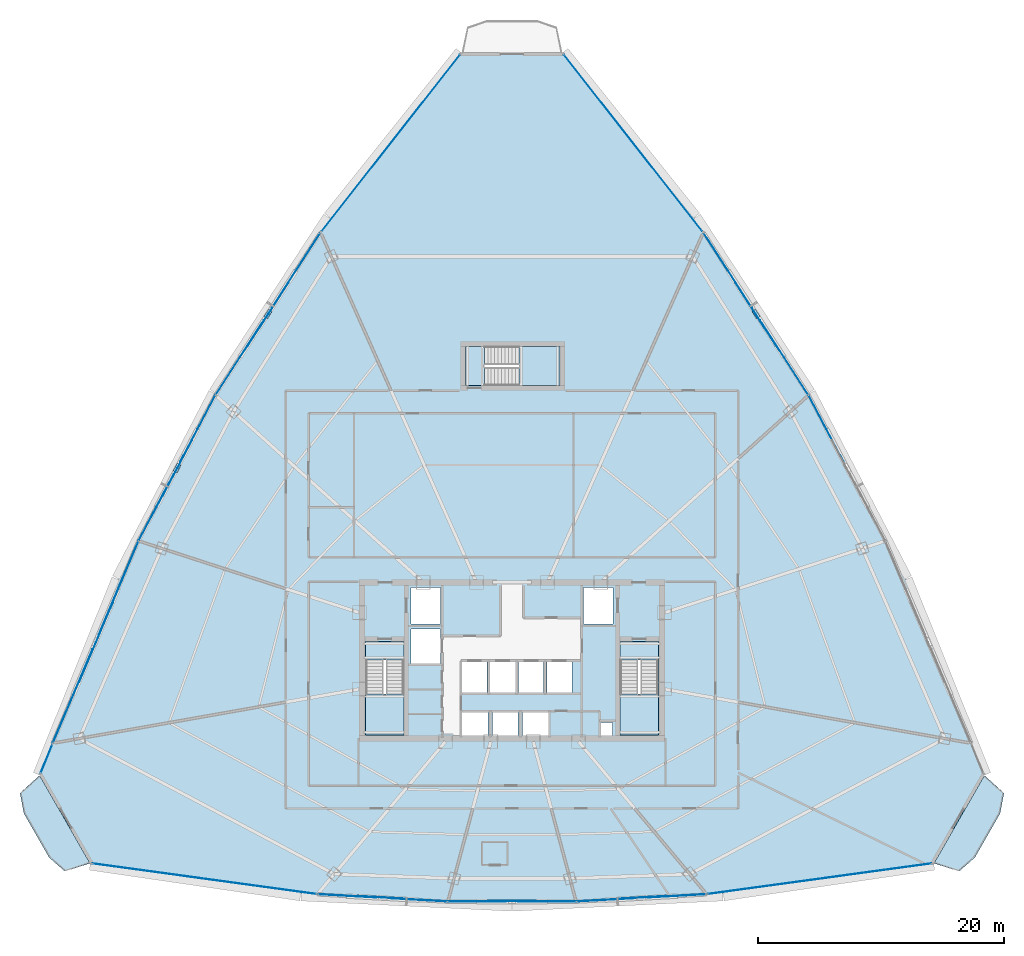
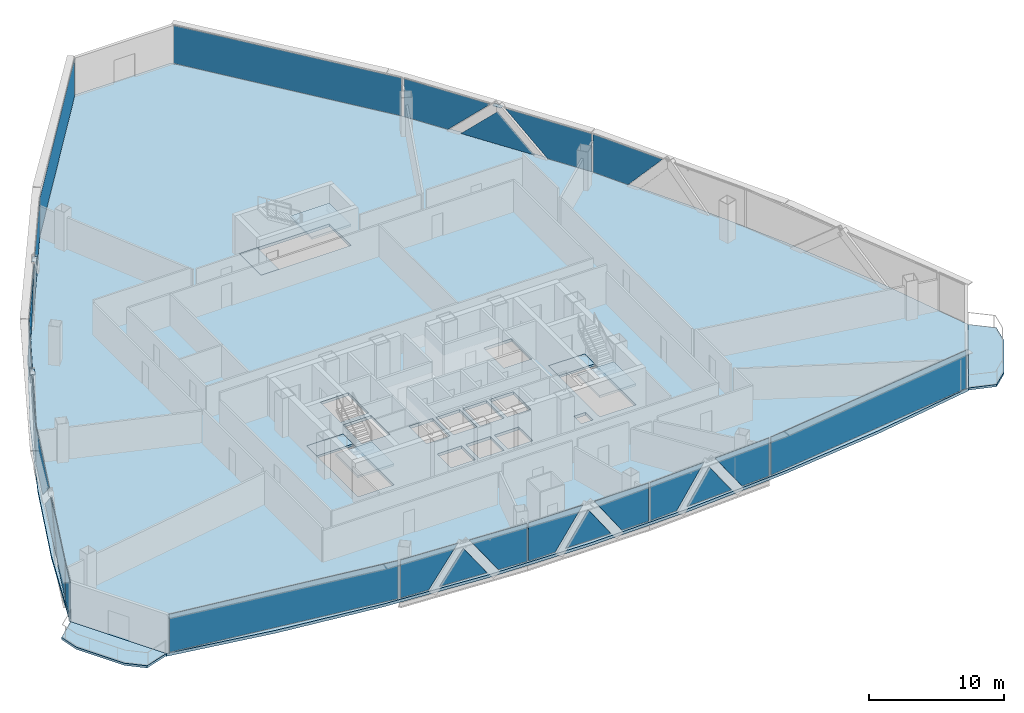
# One storey, part 28 of 37: 30 plates, 9 slabs, 16 elements without a shape of their own.
"""IFC4 building model written with IfcOpenShell, lengths in metres."""

from ifc_helpers import new_model, si_unit, direction, frame, origin, origin_2d, place, context, subcontext, project, spatial, polyline, rectangle, outline, extrude, source, transform, mapped, material, layer, layer_set, type_object, element, aggregate, save


model = new_model("IFC4")

# Units and contexts
model_context = context("Model", 3, precision=1e-05, world=origin(), true_north=direction((0.0, 1.0)))
body_context = subcontext(model_context, "Body", "Model", "MODEL_VIEW")
ifc_project = project(units=[si_unit("LENGTHUNIT", "METRE"), si_unit("AREAUNIT", "SQUARE_METRE"), si_unit("VOLUMEUNIT", "CUBIC_METRE"), si_unit("PLANEANGLEUNIT", "RADIAN"), si_unit("MASSUNIT", "GRAM", prefix="KILO"), si_unit("THERMODYNAMICTEMPERATUREUNIT", "KELVIN"), si_unit("POWERUNIT", "WATT")], contexts=[model_context])

# Site, building, storey
site_placement = place(None, origin())
site = spatial("IfcSite", under=ifc_project, at=site_placement, CompositionType="ELEMENT")
building_placement = place(site_placement, origin())
building = spatial("IfcBuilding", under=site, at=building_placement, Name="Yunzhuo Pagoda Commons", CompositionType="ELEMENT")
storey_placement = place(building_placement, frame((0.0, 0.0, 196.159912109375)))
storey = spatial("IfcBuildingStorey", under=building, at=storey_placement, Name="L49", CompositionType="ELEMENT", Elevation=196.159912109375)

# Curtain wall, plates
ifc_material_1 = material(Name="Anodized aluminium 6063-T6", Category="aluminium")
ifc_layer_1 = layer(ifc_material_1, 0.14990234375)
ifc_layer_set_1 = layer_set([ifc_layer_1], Name="Anodized aluminium 6063-T6")
curtain_wall_type = type_object("IfcCurtainWallType", Name="CW-MID Mid-Zone Ribbon Curtain Wall", PredefinedType="NOTDEFINED", material=ifc_layer_set_1)
curtain_wall_1_placement = place(storey_placement, origin())
curtain_wall_1 = element("IfcCurtainWall", 1, at=curtain_wall_1_placement, inside=storey, type_object=curtain_wall_type, Name="L49 curtain wall CW-L49-F1B2", PredefinedType="NOTDEFINED")
ifc_material_2 = material(Name="Tempered low-e double glazing", Category="glass")
ifc_layer_2 = layer(ifc_material_2, 0.028076171875)
ifc_layer_set_2 = layer_set([ifc_layer_2], Name="Tempered low-e double glazing")
plate_type_1 = type_object("IfcPlateType", Name="CW-MID-P Low-E Double Glazing 28", PredefinedType="CURTAIN_PANEL", material=ifc_layer_set_2)
plate_1_placement = place(storey_placement, frame((34.599853515625, 14.706298828125, 1.77001953125), z_axis=(-0.055982959182, -0.998431724396, 0.0), x_axis=(0.998431724396, -0.055982959182, 0.0)))
plate_1 = element("IfcPlate", 2, at=plate_1_placement, type_object=plate_type_1, Name="CW panel 1.1 lite 1", PredefinedType="CURTAIN_PANEL", context=body_context, shape_type="SweptSolid", body=[
    extrude(outline(polyline([(-2.377685546875, -1.715087890625), (-0.022216796875, -1.715087890625), (2.377685546875, 1.715087890625), (-2.377685546875, 1.715087890625), (-2.377685546875, -1.715087890625)])), origin(), (0.0, 0.0, 1.0), 0.028076171875),
])
plate_2_placement = place(storey_placement, frame((37.47705078125, 14.5751953125, 1.46630859375), z_axis=(-0.055982959182, -0.998431724396, 0.0), x_axis=(0.998431724396, -0.055982959182, 0.0)))
plate_2 = element("IfcPlate", 3, at=plate_2_placement, type_object=plate_type_1, Name="CW panel 1.1 lite 2", PredefinedType="CURTAIN_PANEL", context=body_context, shape_type="SweptSolid", body=[
    extrude(outline(polyline([(-1.974609375, -1.4111328125), (1.974609375, -1.4111328125), (0.0, 1.4111328125), (-1.974609375, -1.4111328125)])), origin(), (0.0, 0.0, 1.0), 0.028076171875),
])
plate_3_placement = place(storey_placement, frame((40.350830078125, 14.384033203125, 1.77001953125), z_axis=(-0.055982959182, -0.998431724396, 0.0), x_axis=(0.998431724396, -0.055982959182, 0.0)))
plate_3 = element("IfcPlate", 4, at=plate_3_placement, type_object=plate_type_1, Name="CW panel 1.1 lite 3", PredefinedType="CURTAIN_PANEL", context=body_context, shape_type="SweptSolid", body=[
    extrude(outline(polyline([(-2.377685546875, 1.715087890625), (0.022216796875, -1.715087890625), (2.377685546875, -1.715087890625), (2.377685546875, 1.715087890625), (-2.377685546875, 1.715087890625)])), origin(), (0.0, 0.0, 1.0), 0.028076171875),
])
aggregate(curtain_wall_1, [plate_1, plate_2, plate_3])

curtain_wall_2_placement = place(storey_placement, origin())
curtain_wall_2 = element("IfcCurtainWall", 5, at=curtain_wall_2_placement, inside=storey, type_object=curtain_wall_type, Name="L49 curtain wall CW-L49-F1B3", PredefinedType="NOTDEFINED")
plate_4_placement = place(storey_placement, frame((45.172607421875, 14.24755859375, 1.77001953125), z_axis=(0.0, -1.0, 0.0), x_axis=(1.0, 0.0, 0.0)))
plate_4 = element("IfcPlate", 6, at=plate_4_placement, type_object=plate_type_1, Name="CW panel 1.1 lite 1", PredefinedType="CURTAIN_PANEL", context=body_context, shape_type="SweptSolid", body=[
    extrude(outline(polyline([(-2.32861328125, -1.715087890625), (-0.025390625, -1.715087890625), (2.32861328125, 1.715087890625), (-2.32861328125, 1.715087890625), (-2.32861328125, -1.715087890625)])), origin(), (0.0, 0.0, 1.0), 0.028076171875),
])
plate_5_placement = place(storey_placement, frame((48.0, 14.27783203125, 1.4619140625), z_axis=(0.0, -1.0, 0.0), x_axis=(1.0, 0.0, 0.0)))
plate_5 = element("IfcPlate", 7, at=plate_5_placement, type_object=plate_type_1, Name="CW panel 1.1 lite 2", PredefinedType="CURTAIN_PANEL", context=body_context, shape_type="SweptSolid", body=[
    extrude(outline(polyline([(-1.930908203125, -1.40673828125), (1.930908203125, -1.40673828125), (0.0, 1.40673828125), (-1.930908203125, -1.40673828125)])), origin(), (0.0, 0.0, 1.0), 0.028076171875),
])
plate_6_placement = place(storey_placement, frame((50.827392578125, 14.24755859375, 1.77001953125), z_axis=(0.0, -1.0, 0.0), x_axis=(1.0, 0.0, 0.0)))
plate_6 = element("IfcPlate", 8, at=plate_6_placement, type_object=plate_type_1, Name="CW panel 1.1 lite 3", PredefinedType="CURTAIN_PANEL", context=body_context, shape_type="SweptSolid", body=[
    extrude(outline(polyline([(-2.32861328125, 1.715087890625), (0.025390625, -1.715087890625), (2.32861328125, -1.715087890625), (2.32861328125, 1.715087890625), (-2.32861328125, 1.715087890625)])), origin(), (0.0, 0.0, 1.0), 0.028076171875),
])
aggregate(curtain_wall_2, [plate_4, plate_5, plate_6])

curtain_wall_3_placement = place(storey_placement, origin())
curtain_wall_3 = element("IfcCurtainWall", 9, at=curtain_wall_3_placement, inside=storey, type_object=curtain_wall_type, Name="L49 curtain wall CW-L49-F1B4", PredefinedType="NOTDEFINED")
plate_7_placement = place(storey_placement, frame((55.649169921875, 14.384033203125, 1.77001953125), z_axis=(0.055982959182, -0.998431724396, 0.0), x_axis=(0.998431724396, 0.055982959182, 0.0)))
plate_7 = element("IfcPlate", 10, at=plate_7_placement, type_object=plate_type_1, Name="CW panel 1.1 lite 1", PredefinedType="CURTAIN_PANEL", context=body_context, shape_type="SweptSolid", body=[
    extrude(outline(polyline([(-2.377685546875, -1.715087890625), (-0.022216796875, -1.715087890625), (2.377685546875, 1.715087890625), (-2.377685546875, 1.715087890625), (-2.377685546875, -1.715087890625)])), origin(), (0.0, 0.0, 1.0), 0.028076171875),
])
plate_8_placement = place(storey_placement, frame((58.52294921875, 14.5751953125, 1.46630859375), z_axis=(0.055982959182, -0.998431724396, 0.0), x_axis=(0.998431724396, 0.055982959182, 0.0)))
plate_8 = element("IfcPlate", 11, at=plate_8_placement, type_object=plate_type_1, Name="CW panel 1.1 lite 2", PredefinedType="CURTAIN_PANEL", context=body_context, shape_type="SweptSolid", body=[
    extrude(outline(polyline([(-1.974609375, -1.4111328125), (1.974609375, -1.4111328125), (0.0, 1.4111328125), (-1.974609375, -1.4111328125)])), origin(), (0.0, 0.0, 1.0), 0.028076171875),
])
plate_9_placement = place(storey_placement, frame((61.400146484375, 14.706298828125, 1.77001953125), z_axis=(0.055982959182, -0.998431724396, 0.0), x_axis=(0.998431724396, 0.055982959182, 0.0)))
plate_9 = element("IfcPlate", 12, at=plate_9_placement, type_object=plate_type_1, Name="CW panel 1.1 lite 3", PredefinedType="CURTAIN_PANEL", context=body_context, shape_type="SweptSolid", body=[
    extrude(outline(polyline([(-2.377685546875, 1.715087890625), (0.022216796875, -1.715087890625), (2.377685546875, -1.715087890625), (2.377685546875, 1.715087890625), (-2.377685546875, 1.715087890625)])), origin(), (0.0, 0.0, 1.0), 0.028076171875),
])
aggregate(curtain_wall_3, [plate_7, plate_8, plate_9])

# Curtain wall, plate
curtain_wall_4_placement = place(storey_placement, origin())
curtain_wall_4 = element("IfcCurtainWall", 13, at=curtain_wall_4_placement, inside=storey, type_object=curtain_wall_type, Name="L49 curtain wall CW-L49-F2B3", PredefinedType="NOTDEFINED")
plate_10_placement = place(storey_placement, frame((73.559326171875, 52.6708984375, 1.77001953125), z_axis=(0.884483826433, 0.466570852903, 0.0), x_axis=(-0.466570852903, 0.884483826433, 0.0)))
plate_10 = element("IfcPlate", 14, at=plate_10_placement, type_object=plate_type_1, Name="CW panel 1.1 lite 3", PredefinedType="CURTAIN_PANEL", context=body_context, shape_type="SweptSolid", body=[
    extrude(outline(polyline([(-3.04248046875, 1.715087890625), (-0.018798828125, -1.715087890625), (3.042236328125, -1.715087890625), (3.042236328125, 1.715087890625), (-3.04248046875, 1.715087890625)])), origin(), (0.0, 0.0, 1.0), 0.028076171875),
])
aggregate(curtain_wall_4, [plate_10])

# Curtain wall, plates
curtain_wall_5_placement = place(storey_placement, origin())
curtain_wall_5 = element("IfcCurtainWall", 15, at=curtain_wall_5_placement, inside=storey, type_object=curtain_wall_type, Name="L49 curtain wall CW-L49-F2B4", PredefinedType="NOTDEFINED")
plate_11_placement = place(storey_placement, frame((70.12060546875, 58.4951171875, 1.77001953125), z_axis=(0.839794048542, 0.542905107761, 0.0), x_axis=(-0.542905107761, 0.839794048542, 0.0)))
plate_11 = element("IfcPlate", 16, at=plate_11_placement, type_object=plate_type_1, Name="CW panel 1.1 lite 1", PredefinedType="CURTAIN_PANEL", context=body_context, shape_type="SweptSolid", body=[
    extrude(outline(polyline([(-3.60888671875, -1.715087890625), (0.051513671875, -1.715087890625), (3.60888671875, 1.715087890625), (-3.60888671875, 1.715087890625), (-3.60888671875, -1.715087890625)])), origin(), (0.0, 0.0, 1.0), 0.028076171875),
])
plate_12_placement = place(storey_placement, frame((67.807861328125, 62.017333984375, 1.53369140625), z_axis=(0.839794048542, 0.542905107761, 0.0), x_axis=(-0.542905107761, 0.839794048542, 0.0)))
plate_12 = element("IfcPlate", 17, at=plate_12_placement, type_object=plate_type_1, Name="CW panel 1.1 lite 2", PredefinedType="CURTAIN_PANEL", context=body_context, shape_type="SweptSolid", body=[
    extrude(outline(polyline([(-3.06689453125, -1.478515625), (3.06689453125, -1.478515625), (0.0, 1.478515625), (-3.06689453125, -1.478515625)])), origin(), (0.0, 0.0, 1.0), 0.028076171875),
])
plate_13_placement = place(storey_placement, frame((65.545654296875, 65.572021484375, 1.77001953125), z_axis=(0.839794048542, 0.542905107761, 0.0), x_axis=(-0.542905107761, 0.839794048542, 0.0)))
plate_13 = element("IfcPlate", 18, at=plate_13_placement, type_object=plate_type_1, Name="CW panel 1.1 lite 3", PredefinedType="CURTAIN_PANEL", context=body_context, shape_type="SweptSolid", body=[
    extrude(outline(polyline([(-3.60888671875, 1.715087890625), (-0.051513671875, -1.715087890625), (3.60888671875, -1.715087890625), (3.60888671875, 1.715087890625), (-3.60888671875, 1.715087890625)])), origin(), (0.0, 0.0, 1.0), 0.028076171875),
])
aggregate(curtain_wall_5, [plate_11, plate_12, plate_13])

curtain_wall_6_placement = place(storey_placement, origin())
curtain_wall_6 = element("IfcCurtainWall", 19, at=curtain_wall_6_placement, inside=storey, type_object=curtain_wall_type, Name="L49 curtain wall CW-L49-F3B2", PredefinedType="NOTDEFINED")
plate_14_placement = place(storey_placement, frame((30.454345703125, 65.572021484375, 1.77001953125), z_axis=(-0.839794048542, 0.542905107761, 0.0), x_axis=(-0.542905107761, -0.839794048542, 0.0)))
plate_14 = element("IfcPlate", 20, at=plate_14_placement, type_object=plate_type_1, Name="CW panel 1.1 lite 1", PredefinedType="CURTAIN_PANEL", context=body_context, shape_type="SweptSolid", body=[
    extrude(outline(polyline([(-3.60888671875, -1.715087890625), (0.051513671875, -1.715087890625), (3.60888671875, 1.715087890625), (-3.60888671875, 1.715087890625), (-3.60888671875, -1.715087890625)])), origin(), (0.0, 0.0, 1.0), 0.028076171875),
])
plate_15_placement = place(storey_placement, frame((28.192138671875, 62.017333984375, 1.53369140625), z_axis=(-0.839794048542, 0.542905107761, 0.0), x_axis=(-0.542905107761, -0.839794048542, 0.0)))
plate_15 = element("IfcPlate", 21, at=plate_15_placement, type_object=plate_type_1, Name="CW panel 1.1 lite 2", PredefinedType="CURTAIN_PANEL", context=body_context, shape_type="SweptSolid", body=[
    extrude(outline(polyline([(-3.06689453125, -1.478515625), (3.06689453125, -1.478515625), (0.0, 1.478515625), (-3.06689453125, -1.478515625)])), origin(), (0.0, 0.0, 1.0), 0.028076171875),
])
plate_16_placement = place(storey_placement, frame((25.87939453125, 58.4951171875, 1.77001953125), z_axis=(-0.839794048542, 0.542905107761, 0.0), x_axis=(-0.542905107761, -0.839794048542, 0.0)))
plate_16 = element("IfcPlate", 22, at=plate_16_placement, type_object=plate_type_1, Name="CW panel 1.1 lite 3", PredefinedType="CURTAIN_PANEL", context=body_context, shape_type="SweptSolid", body=[
    extrude(outline(polyline([(-3.60888671875, 1.715087890625), (-0.051513671875, -1.715087890625), (3.60888671875, -1.715087890625), (3.60888671875, 1.715087890625), (-3.60888671875, 1.715087890625)])), origin(), (0.0, 0.0, 1.0), 0.028076171875),
])
aggregate(curtain_wall_6, [plate_14, plate_15, plate_16])

curtain_wall_7_placement = place(storey_placement, origin())
curtain_wall_7 = element("IfcCurtainWall", 23, at=curtain_wall_7_placement, inside=storey, type_object=curtain_wall_type, Name="L49 curtain wall CW-L49-F3B3", PredefinedType="NOTDEFINED")
plate_17_placement = place(storey_placement, frame((22.440673828125, 52.6708984375, 1.77001953125), z_axis=(-0.884483826433, 0.466570852903, 0.0), x_axis=(-0.466570852903, -0.884483826433, 0.0)))
plate_17 = element("IfcPlate", 24, at=plate_17_placement, type_object=plate_type_1, Name="CW panel 1.1 lite 1", PredefinedType="CURTAIN_PANEL", context=body_context, shape_type="SweptSolid", body=[
    extrude(outline(polyline([(-3.04248046875, -1.715087890625), (0.0185546875, -1.715087890625), (3.04248046875, 1.715087890625), (-3.04248046875, 1.715087890625), (-3.04248046875, -1.715087890625)])), origin(), (0.0, 0.0, 1.0), 0.028076171875),
])
plate_18_placement = place(storey_placement, frame((20.788818359375, 49.47509765625, 1.51025390625), z_axis=(-0.884483826433, 0.466570852903, 0.0), x_axis=(-0.466570852903, -0.884483826433, 0.0)))
plate_18 = element("IfcPlate", 25, at=plate_18_placement, type_object=plate_type_1, Name="CW panel 1.1 lite 2", PredefinedType="CURTAIN_PANEL", context=body_context, shape_type="SweptSolid", body=[
    extrude(outline(polyline([(-2.565673828125, -1.455078125), (2.565673828125, -1.455078125), (0.0, 1.455078125), (-2.565673828125, -1.455078125)])), origin(), (0.0, 0.0, 1.0), 0.028076171875),
])
plate_19_placement = place(storey_placement, frame((19.083740234375, 46.30712890625, 1.77001953125), z_axis=(-0.884483826433, 0.466570852903, 0.0), x_axis=(-0.466570852903, -0.884483826433, 0.0)))
plate_19 = element("IfcPlate", 26, at=plate_19_placement, type_object=plate_type_1, Name="CW panel 1.1 lite 3", PredefinedType="CURTAIN_PANEL", context=body_context, shape_type="SweptSolid", body=[
    extrude(outline(polyline([(-3.04248046875, 1.715087890625), (-0.018798828125, -1.715087890625), (3.042236328125, -1.715087890625), (3.042236328125, 1.715087890625), (-3.04248046875, 1.715087890625)])), origin(), (0.0, 0.0, 1.0), 0.028076171875),
])
aggregate(curtain_wall_7, [plate_17, plate_18, plate_19])

curtain_wall_8_placement = place(storey_placement, origin())
curtain_wall_8 = element("IfcCurtainWall", 27, at=curtain_wall_8_placement, inside=storey, type_object=curtain_wall_type, Name="L49 curtain wall CW-L49-F3B4", PredefinedType="NOTDEFINED")
plate_20_placement = place(storey_placement, frame((16.0078125, 39.722412109375, 1.77001953125), z_axis=(-0.920666607247, 0.390349840912, 0.0), x_axis=(-0.390349840912, -0.920666607247, 0.0)))
plate_20 = element("IfcPlate", 28, at=plate_20_placement, type_object=plate_type_1, Name="CW panel 1.1 lite 1", PredefinedType="CURTAIN_PANEL", context=body_context, shape_type="SweptSolid", body=[
    extrude(outline(polyline([(-4.11279296875, -1.715087890625), (0.079345703125, -1.715087890625), (4.11279296875, 1.715087890625), (-4.11279296875, 1.715087890625), (-4.11279296875, -1.715087890625)])), origin(), (0.0, 0.0, 1.0), 0.028076171875),
])
plate_21_placement = place(storey_placement, frame((14.17578125, 35.32470703125, 1.548095703125), z_axis=(-0.920666607247, 0.390349840912, 0.0), x_axis=(-0.390349840912, -0.920666607247, 0.0)))
plate_21 = element("IfcPlate", 29, at=plate_21_placement, type_object=plate_type_1, Name="CW panel 1.1 lite 2", PredefinedType="CURTAIN_PANEL", context=body_context, shape_type="SweptSolid", body=[
    extrude(outline(polyline([(-3.511474609375, -1.4931640625), (3.511474609375, -1.4931640625), (0.0, 1.4931640625), (-3.511474609375, -1.4931640625)])), origin(), (0.0, 0.0, 1.0), 0.028076171875),
])
plate_22_placement = place(storey_placement, frame((12.288330078125, 30.9501953125, 1.77001953125), z_axis=(-0.920666607247, 0.390349840912, 0.0), x_axis=(-0.390349840912, -0.920666607247, 0.0)))
plate_22 = element("IfcPlate", 30, at=plate_22_placement, type_object=plate_type_1, Name="CW panel 1.1 lite 3", PredefinedType="CURTAIN_PANEL", context=body_context, shape_type="SweptSolid", body=[
    extrude(outline(polyline([(-4.11279296875, 1.715087890625), (-0.07958984375, -1.715087890625), (4.11279296875, -1.715087890625), (4.11279296875, 1.715087890625), (-4.11279296875, 1.715087890625)])), origin(), (0.0, 0.0, 1.0), 0.028076171875),
])
aggregate(curtain_wall_8, [plate_20, plate_21, plate_22])

# Slabs
ifc_material_3 = material(Name="Concrete C40", Category="concrete")
ifc_layer_3 = layer(ifc_material_3, 0.199951171875)
ifc_layer_set_3 = layer_set([ifc_layer_3], Name="Concrete C40")
slab_type_1 = type_object("IfcSlabType", Name="SL-BAL Vertex Balcony Deck Slab 200", PredefinedType="FLOOR", material=ifc_layer_set_3)
slab_1_placement = place(storey_placement, frame((0.0, 0.0, -0.199951171875)))
element("IfcSlab", 31, at=slab_1_placement, inside=storey, type_object=slab_type_1, Name="L49 corner balcony V1", PredefinedType="FLOOR", context=body_context, shape_type="SweptSolid", body=[
    extrude(outline(polyline([(9.568359375, 24.48876953125), (13.66845703125, 17.347900390625), (11.62744140625, 16.69482421875), (10.349609375, 17.81591796875), (8.299560546875, 21.386474609375), (7.9755859375, 23.055419921875), (9.568359375, 24.48876953125)])), origin(), (0.0, 0.0, 1.0), 0.199951171875),
])
slab_2_placement = place(storey_placement, frame((0.0, 0.0, -0.199951171875)))
element("IfcSlab", 32, at=slab_2_placement, inside=storey, type_object=slab_type_1, Name="L49 corner balcony V2", PredefinedType="FLOOR", context=body_context, shape_type="SweptSolid", body=[
    extrude(outline(polyline([(82.33154296875, 17.347900390625), (86.431640625, 24.48876953125), (88.0244140625, 23.055419921875), (87.700439453125, 21.386474609375), (85.650390625, 17.81591796875), (84.37255859375, 16.69482421875), (82.33154296875, 17.347900390625)])), origin(), (0.0, 0.0, 1.0), 0.199951171875),
])

# Stair, slabs
stair_type_1 = type_object("IfcStairType", Name="ST-C1 Core Smokeproof Stair ST1", PredefinedType="HALF_TURN_STAIR", material=ifc_material_3)
stair_1_placement = place(storey_placement, origin())
stair_1 = element("IfcStair", 33, at=stair_1_placement, inside=storey, type_object=stair_type_1, Name="L49 Core smokeproof stair ST1", PredefinedType="HALF_TURN_STAIR")
ifc_layer_4 = layer(ifc_material_3, 0.199951171875)
ifc_layer_set_4 = layer_set([ifc_layer_4], Name="Concrete C40")
slab_type_2 = type_object("IfcSlabType", Name="SL-LND1 Stair Landing Slab 200", PredefinedType="LANDING", material=ifc_layer_set_4)
slab_3_placement = place(storey_placement, frame((0.0, 0.0, 1.7001953125)))
slab_3 = element("IfcSlab", 34, at=slab_3_placement, type_object=slab_type_2, Name="ST1 landing 1", PredefinedType="LANDING", context=body_context, shape_type="SweptSolid", body=[
    extrude(outline(polyline([(36.10009765625, 31.10009765625), (36.10009765625, 27.800048828125), (39.199951171875, 27.800048828125), (39.199951171875, 31.10009765625), (36.10009765625, 31.10009765625)])), origin(), (0.0, 0.0, 1.0), 0.199951171875),
])
slab_4_placement = place(storey_placement, frame((0.0, 0.0, -0.199951171875)))
slab_4 = element("IfcSlab", 35, at=slab_4_placement, type_object=slab_type_2, Name="ST1 floor landing L49", PredefinedType="LANDING", context=body_context, shape_type="SweptSolid", body=[
    extrude(outline(polyline([(36.10009765625, 35.39990234375), (36.10009765625, 33.89990234375), (39.199951171875, 33.89990234375), (39.199951171875, 35.39990234375), (36.10009765625, 35.39990234375)])), origin(), (0.0, 0.0, 1.0), 0.199951171875),
])
aggregate(stair_1, [slab_3, slab_4])

stair_type_2 = type_object("IfcStairType", Name="ST-C2 Core Smokeproof Stair ST2", PredefinedType="HALF_TURN_STAIR", material=ifc_material_3)
stair_2_placement = place(storey_placement, origin())
stair_2 = element("IfcStair", 36, at=stair_2_placement, inside=storey, type_object=stair_type_2, Name="L49 Core smokeproof stair ST2", PredefinedType="HALF_TURN_STAIR")
ifc_layer_5 = layer(ifc_material_3, 0.201904296875)
ifc_layer_set_5 = layer_set([ifc_layer_5], Name="Concrete C40")
slab_type_3 = type_object("IfcSlabType", Name="SL-LND2 Stair Landing Slab 202", PredefinedType="LANDING", material=ifc_layer_set_5)
slab_5_placement = place(storey_placement, frame((0.0, 0.0, 1.7001953125)))
slab_5 = element("IfcSlab", 37, at=slab_5_placement, type_object=slab_type_3, Name="ST2 landing 1", PredefinedType="LANDING", context=body_context, shape_type="SweptSolid", body=[
    extrude(outline(polyline([(56.800048828125, 31.10009765625), (56.800048828125, 27.800048828125), (59.89990234375, 27.800048828125), (59.89990234375, 31.10009765625), (56.800048828125, 31.10009765625)])), origin(), (0.0, 0.0, 1.0), 0.199951171875),
])
slab_6_placement = place(storey_placement, frame((0.0, 0.0, -0.199951171875)))
slab_6 = element("IfcSlab", 38, at=slab_6_placement, type_object=slab_type_3, Name="ST2 floor landing L49", PredefinedType="LANDING", context=body_context, shape_type="SweptSolid", body=[
    extrude(outline(polyline([(56.800048828125, 35.39990234375), (56.800048828125, 33.89990234375), (59.89990234375, 33.89990234375), (59.89990234375, 35.39990234375), (56.800048828125, 35.39990234375)])), origin(), (0.0, 0.0, 1.0), 0.199951171875),
])
aggregate(stair_2, [slab_5, slab_6])

stair_type_3 = type_object("IfcStairType", Name="ST-C3 North Tower Smokeproof Stair ST3", PredefinedType="HALF_TURN_STAIR", material=ifc_material_3)
stair_3_placement = place(storey_placement, origin())
stair_3 = element("IfcStair", 39, at=stair_3_placement, inside=storey, type_object=stair_type_3, Name="L49 North tower smokeproof stair ST3", PredefinedType="HALF_TURN_STAIR")
ifc_layer_6 = layer(ifc_material_3, 0.2041015625)
ifc_layer_set_6 = layer_set([ifc_layer_6], Name="Concrete C40")
slab_type_4 = type_object("IfcSlabType", Name="SL-LND5 North Landing Slab 204", PredefinedType="LANDING", material=ifc_layer_set_6)
slab_7_placement = place(storey_placement, frame((0.0, 0.0, 1.7001953125)))
slab_7 = element("IfcSlab", 40, at=slab_7_placement, type_object=slab_type_4, Name="ST3 landing 1", PredefinedType="LANDING", context=body_context, shape_type="SweptSolid", body=[
    extrude(outline(polyline([(48.550048828125, 56.199951171875), (51.89990234375, 56.199951171875), (51.89990234375, 59.39990234375), (48.550048828125, 59.39990234375), (48.550048828125, 56.199951171875)])), origin(), (0.0, 0.0, 1.0), 0.199951171875),
])
slab_8_placement = place(storey_placement, frame((0.0, 0.0, -0.199951171875)))
slab_8 = element("IfcSlab", 41, at=slab_8_placement, type_object=slab_type_4, Name="ST3 floor landing L49", PredefinedType="LANDING", context=body_context, shape_type="SweptSolid", body=[
    extrude(outline(polyline([(44.199951171875, 56.199951171875), (45.75, 56.199951171875), (45.75, 59.39990234375), (44.199951171875, 59.39990234375), (44.199951171875, 56.199951171875)])), origin(), (0.0, 0.0, 1.0), 0.199951171875),
])
aggregate(stair_3, [slab_7, slab_8])

# Slab
ifc_layer_7 = layer(ifc_material_3, 0.260009765625)
ifc_layer_set_7 = layer_set([ifc_layer_7], Name="Concrete C40")
slab_type_5 = type_object("IfcSlabType", Name="SL-TWR Typical Tower Floor Slab 260", PredefinedType="FLOOR", material=ifc_layer_set_7)
slab_9_placement = place(storey_placement, frame((0.0, 0.0, -0.260009765625)))
element("IfcSlab", 42, at=slab_9_placement, inside=storey, type_object=slab_type_5, Name="L49 structural floor slab", PredefinedType="FLOOR", context=body_context, shape_type="SweptSolid", body=[
    extrude(outline(polyline([(12.601318359375, 32.578857421875), (15.990478515625, 40.455810546875), (19.740478515625, 48.12255859375), (23.85107421875, 55.57861328125), (28.322265625, 62.82421875), (33.154052734375, 69.859130859375), (38.3466796875, 76.68359375), (43.89990234375, 83.297607421875), (52.10009765625, 83.297607421875), (57.6533203125, 76.68359375), (62.845947265625, 69.859130859375), (67.677734375, 62.82421875), (72.14892578125, 55.57861328125), (76.259521484375, 48.12255859375), (80.009521484375, 40.455810546875), (83.398681640625, 32.578857421875), (86.427490234375, 24.4912109375), (82.327392578125, 17.350341796875), (73.74560546875, 15.888671875), (65.16357421875, 14.8447265625), (56.581787109375, 14.21826171875), (48.0, 14.009521484375), (39.418212890625, 14.21826171875), (30.836181640625, 14.8447265625), (22.25439453125, 15.888671875), (13.672607421875, 17.350341796875), (9.572509765625, 24.4912109375), (12.601318359375, 32.578857421875)]), holes=[polyline([(46.050048828125, 29.64990234375), (43.949951171875, 29.64990234375), (43.949951171875, 27.60009765625), (46.050048828125, 27.60009765625), (46.050048828125, 29.64990234375)]), polyline([(48.5, 27.60009765625), (48.5, 29.64990234375), (46.39990234375, 29.64990234375), (46.39990234375, 27.60009765625), (48.5, 27.60009765625)]), polyline([(36.10009765625, 27.800048828125), (39.199951171875, 27.800048828125), (39.199951171875, 35.39990234375), (36.10009765625, 35.39990234375), (36.10009765625, 27.800048828125)]), polyline([(45.969970703125, 31.199951171875), (45.969970703125, 33.800048828125), (43.929931640625, 33.800048828125), (43.929931640625, 31.199951171875), (45.969970703125, 31.199951171875)]), polyline([(48.27001953125, 31.199951171875), (48.27001953125, 33.800048828125), (46.22998046875, 33.800048828125), (46.22998046875, 31.199951171875), (48.27001953125, 31.199951171875)]), polyline([(42.199951171875, 33.60009765625), (42.199951171875, 36.39990234375), (39.800048828125, 36.39990234375), (39.800048828125, 33.60009765625), (42.199951171875, 33.60009765625)]), polyline([(42.199951171875, 36.800048828125), (42.199951171875, 39.800048828125), (39.800048828125, 39.800048828125), (39.800048828125, 36.800048828125), (42.199951171875, 36.800048828125)]), polyline([(56.179931640625, 28.800048828125), (55.179931640625, 28.800048828125), (55.179931640625, 27.699951171875), (56.179931640625, 27.699951171875), (56.179931640625, 28.800048828125)]), polyline([(50.949951171875, 27.60009765625), (50.949951171875, 29.64990234375), (48.85009765625, 29.64990234375), (48.85009765625, 27.60009765625), (50.949951171875, 27.60009765625)]), polyline([(56.800048828125, 27.800048828125), (59.89990234375, 27.800048828125), (59.89990234375, 35.39990234375), (56.800048828125, 35.39990234375), (56.800048828125, 27.800048828125)]), polyline([(50.570068359375, 31.199951171875), (50.570068359375, 33.800048828125), (48.530029296875, 33.800048828125), (48.530029296875, 31.199951171875), (50.570068359375, 31.199951171875)]), polyline([(52.8701171875, 31.199951171875), (52.8701171875, 33.800048828125), (50.830078125, 33.800048828125), (50.830078125, 31.199951171875), (52.8701171875, 31.199951171875)]), polyline([(56.199951171875, 36.800048828125), (56.199951171875, 39.800048828125), (53.800048828125, 39.800048828125), (53.800048828125, 36.800048828125), (56.199951171875, 36.800048828125)]), polyline([(51.89990234375, 56.199951171875), (51.89990234375, 59.39990234375), (44.199951171875, 59.39990234375), (44.199951171875, 56.199951171875), (51.89990234375, 56.199951171875)])]), origin(), (0.0, 0.0, 1.0), 0.260009765625),
])

# Plates
ifc_material_4 = material(Name="Structural steel Q355B", Category="steel")
ifc_layer_8 = layer(ifc_material_4, 0.028076171875)
ifc_layer_set_8 = layer_set([ifc_layer_8], Name="Structural steel Q355B")
plate_type_2 = type_object("IfcPlateType", Name="SP-ND1 Lattice Node Cap Plate 800x500x28", PredefinedType="USERDEFINED", material=ifc_layer_set_8)
shared_shape_1 = source(origin(), body_context, "Body", "SweptSolid", [
    extrude(rectangle(XDim=0.699951171875, YDim=0.35009765625, at=origin_2d()), origin(), (0.0, 0.0, 1.0), 0.035888671875),
])
for number, where, z_axis, x_axis, name in (
    (43, (67.844970703125, 62.041259765625, 3.501953125), (0.0, 0.0, 1.0), (-0.542910648791, 0.839790466384, 0.0), "L49 setback lattice tie plate F2.3L"),
    (44, (28.155029296875, 62.041259765625, 3.501953125), (0.0, 0.0, 1.0), (-0.542910648791, -0.839790466384, 0.0), "L49 setback lattice tie plate F3.1L"),
    (45, (20.749755859375, 49.49560546875, 3.501953125), (0.0, 0.0, 1.0), (-0.466571896316, -0.884483276025, 0.0), "L49 setback lattice tie plate F3.2L"),
):
    element("IfcPlate", number, at=place(storey_placement, frame(where, z_axis=z_axis, x_axis=x_axis)), inside=storey, type_object=plate_type_2, Name=name, ObjectType="STIFFENER_PLATE", PredefinedType="USERDEFINED", context=body_context, shape_type="MappedRepresentation", body=[
        mapped(shared_shape_1, transform((0.0, 0.0, 0.0), scale=1.0)),
    ])

# Curtain wall, plate
curtain_wall_9_placement = place(storey_placement, origin())
curtain_wall_9 = element("IfcCurtainWall", 46, at=curtain_wall_9_placement, inside=storey, type_object=curtain_wall_type, Name="L49 curtain wall CW-L49-F1B1", PredefinedType="NOTDEFINED")
shared_shape_2 = source(origin(), body_context, "Body", "SweptSolid", [
    extrude(rectangle(XDim=18.307861328125, YDim=0.028076171875, at=origin_2d()), origin(), (0.0, 0.0, 1.0), 3.429931640625),
])
plate_23_placement = place(storey_placement, frame((22.9619140625, 16.0859375, 0.05517578125), z_axis=(0.0, 0.0, 1.0), x_axis=(0.990803037163, -0.135312015534, 0.0)))
plate_23 = element("IfcPlate", 47, at=plate_23_placement, type_object=plate_type_1, Name="CW panel 1.1", PredefinedType="CURTAIN_PANEL", context=body_context, shape_type="MappedRepresentation", body=[
    mapped(shared_shape_2, transform((0.0, 0.0, 0.0), scale=1.0)),
])
aggregate(curtain_wall_9, [plate_23])

curtain_wall_10_placement = place(storey_placement, origin())
curtain_wall_10 = element("IfcCurtainWall", 48, at=curtain_wall_10_placement, inside=storey, type_object=curtain_wall_type, Name="L49 curtain wall CW-L49-F1B5", PredefinedType="NOTDEFINED")
plate_24_placement = place(storey_placement, frame((73.0380859375, 16.0859375, 0.05517578125), z_axis=(0.0, 0.0, 1.0), x_axis=(0.990803037163, 0.135312015534, 0.0)))
plate_24 = element("IfcPlate", 49, at=plate_24_placement, type_object=plate_type_1, Name="CW panel 1.1", PredefinedType="CURTAIN_PANEL", context=body_context, shape_type="MappedRepresentation", body=[
    mapped(shared_shape_2, transform((0.0, 0.0, 0.0), scale=1.0)),
])
aggregate(curtain_wall_10, [plate_24])

curtain_wall_11_placement = place(storey_placement, origin())
curtain_wall_11 = element("IfcCurtainWall", 50, at=curtain_wall_11_placement, inside=storey, type_object=curtain_wall_type, Name="L49 curtain wall CW-L49-F3B5", PredefinedType="NOTDEFINED")
shared_shape_3 = source(origin(), body_context, "Body", "SweptSolid", [
    extrude(rectangle(XDim=2.477783203125, YDim=0.028076171875, at=origin_2d()), origin(), (0.0, 0.0, 1.0), 3.429931640625),
])
plate_25_placement = place(storey_placement, frame((10.128173828125, 25.84130859375, 0.05517578125), z_axis=(0.0, 0.0, 1.0), x_axis=(-0.377349463967, -0.926070937911, 0.0)))
plate_25 = element("IfcPlate", 51, at=plate_25_placement, type_object=plate_type_1, Name="CW panel 1.1", PredefinedType="CURTAIN_PANEL", context=body_context, shape_type="MappedRepresentation", body=[
    mapped(shared_shape_3, transform((0.0, 0.0, 0.0), scale=1.0)),
])
aggregate(curtain_wall_11, [plate_25])

curtain_wall_12_placement = place(storey_placement, origin())
curtain_wall_12 = element("IfcCurtainWall", 52, at=curtain_wall_12_placement, inside=storey, type_object=curtain_wall_type, Name="L49 curtain wall CW-L49-F2B5", PredefinedType="NOTDEFINED")
shared_shape_4 = source(origin(), body_context, "Body", "SweptSolid", [
    extrude(rectangle(XDim=18.23681640625, YDim=0.028076171875, at=origin_2d()), origin(), (0.0, 0.0, 1.0), 3.429931640625),
])
plate_26_placement = place(storey_placement, frame((57.857177734375, 75.943603515625, 0.05517578125), z_axis=(0.0, 0.0, 1.0), x_axis=(-0.616889324316, 0.787049910454, 0.0)))
plate_26 = element("IfcPlate", 53, at=plate_26_placement, type_object=plate_type_1, Name="CW panel 1.1", PredefinedType="CURTAIN_PANEL", context=body_context, shape_type="MappedRepresentation", body=[
    mapped(shared_shape_4, transform((0.0, 0.0, 0.0), scale=1.0)),
])
aggregate(curtain_wall_12, [plate_26])

curtain_wall_13_placement = place(storey_placement, origin())
curtain_wall_13 = element("IfcCurtainWall", 54, at=curtain_wall_13_placement, inside=storey, type_object=curtain_wall_type, Name="L49 curtain wall CW-L49-F3B1", PredefinedType="NOTDEFINED")
plate_27_placement = place(storey_placement, frame((38.142822265625, 75.943603515625, 0.05517578125), z_axis=(0.0, 0.0, 1.0), x_axis=(-0.616889324316, -0.787049910454, 0.0)))
plate_27 = element("IfcPlate", 55, at=plate_27_placement, type_object=plate_type_1, Name="CW panel 1.1", PredefinedType="CURTAIN_PANEL", context=body_context, shape_type="MappedRepresentation", body=[
    mapped(shared_shape_4, transform((0.0, 0.0, 0.0), scale=1.0)),
])
aggregate(curtain_wall_13, [plate_27])

save(model, "model.ifc")
